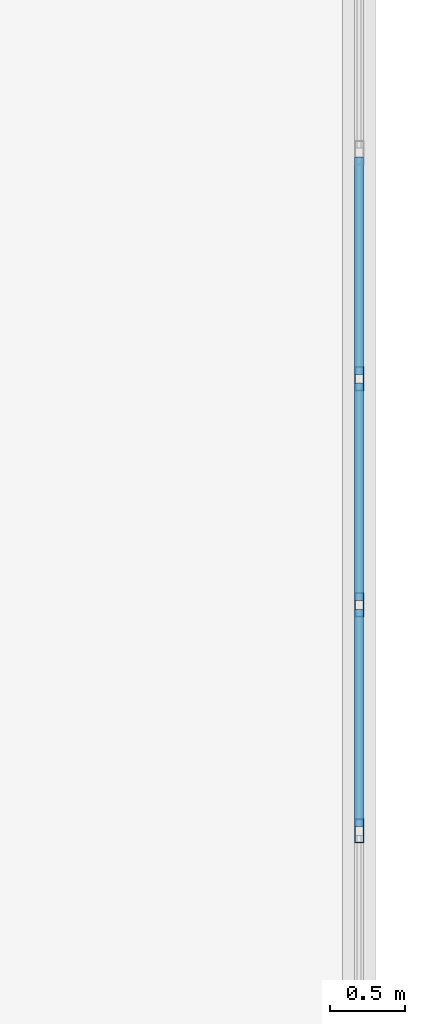
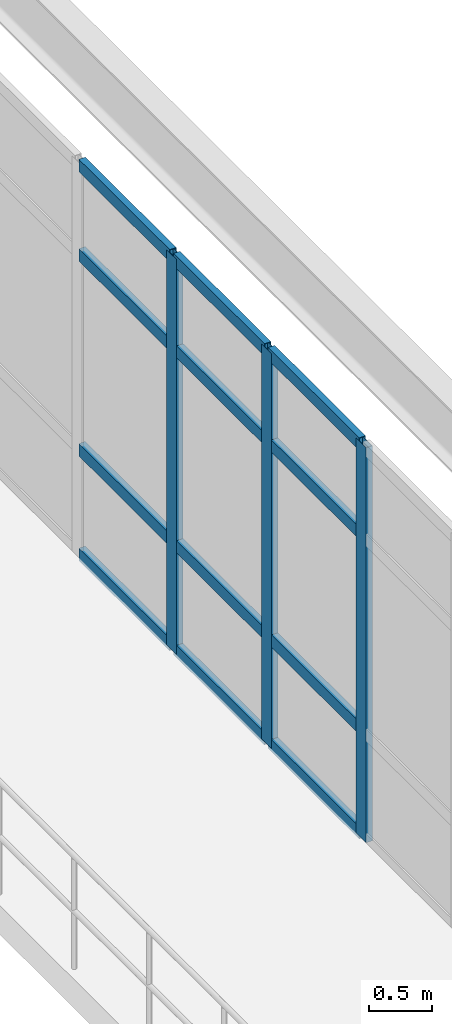
# One storey, part 17 of 38: 15 members, 1 element without a shape of its own.
"""IFC4 building model written with IfcOpenShell, lengths in metres."""

import ifcopenshell
import ifcopenshell.guid

model = None  # the IFC model being written
_history = None  # IfcOwnerHistory: only IFC2X3 demands one
_inside = {}  # id of a spatial element -> (the spatial element, [elements in it])
_under = {}  # id of a project, library or spatial element -> (it, [spatial elements below it])
_declared = {}  # id of a project -> (the project, [libraries it declares])
_typed = {}  # id of a type object -> (the type object, [elements of that type])
_made_of = {}  # id of a material, layer set ... -> (it, [elements and type objects made of it])


def new_model(schema):
    """Start an empty IFC model of exactly this schema.

    Asked for "IFC4X3", IfcOpenShell would pick the latest addendum, in which some entities
    have other attributes; the version numbers below select the first issue.
    IFC2X3 requires an IfcOwnerHistory on every rooted entity: one is made here for all.
    """
    global model, _history
    if schema == "IFC4X3":
        model = ifcopenshell.file(schema_version=(4, 3, 0, 0))
    else:
        model = ifcopenshell.file(schema=schema)
    _inside.clear()
    _under.clear()
    _declared.clear()
    _typed.clear()
    _made_of.clear()
    _history = None
    if model.schema == "IFC2X3":
        org = make("IfcOrganization", Name="unknown")
        user = make(
            "IfcPersonAndOrganization",
            ThePerson=make("IfcPerson", FamilyName="unknown"),
            TheOrganization=org,
        )
        app = make(
            "IfcApplication",
            ApplicationDeveloper=org,
            Version="unknown",
            ApplicationFullName="unknown",
            ApplicationIdentifier="unknown",
        )
        _history = make(
            "IfcOwnerHistory",
            OwningUser=user,
            OwningApplication=app,
            ChangeAction="ADDED",
            CreationDate=0,
        )
    return model


def make(cls, **values):
    """One entity of the class cls with the attributes given. An attribute that is None is left unset."""
    return model.create_entity(
        cls, **{name: value for name, value in values.items() if value is not None}
    )


def rooted(cls, **values):
    """An entity with a GlobalId (a new one), such as an element, a storey or a relation."""
    return make(cls, GlobalId=ifcopenshell.guid.new(), OwnerHistory=_history, **values)


def si_unit(unit_type, name, prefix=None):
    """IfcSIUnit, for example si_unit("LENGTHUNIT", "METRE", prefix="MILLI")."""
    return make("IfcSIUnit", UnitType=unit_type, Prefix=prefix, Name=name)


def assignment(units):
    """IfcUnitAssignment: the units of a project."""
    return None if units is None else make("IfcUnitAssignment", Units=units)


def point(xyz):
    """IfcCartesianPoint."""
    return None if xyz is None else make("IfcCartesianPoint", Coordinates=xyz)


def direction(xyz):
    """IfcDirection."""
    return None if xyz is None else make("IfcDirection", DirectionRatios=xyz)


def frame(location, z_axis=None, x_axis=None):
    """IfcAxis2Placement3D, a coordinate frame: its origin and axes. An axis left out is left unset."""
    return make(
        "IfcAxis2Placement3D",
        Location=point(location),
        Axis=direction(z_axis),
        RefDirection=direction(x_axis),
    )


def frame_2d(location, x_axis=None):
    """IfcAxis2Placement2D, a coordinate frame in the plane: its origin and x axis."""
    return make(
        "IfcAxis2Placement2D", Location=point(location), RefDirection=direction(x_axis)
    )


def origin():
    """The frame at (0, 0, 0) with its axes left unset."""
    return frame((0.0, 0.0, 0.0))


def origin_2d():
    """The frame at (0, 0) in the plane with its x axis left unset."""
    return frame_2d((0.0, 0.0))


def place(relative_to, where):
    """IfcLocalPlacement: puts the frame where relative to a parent placement (None: the world)."""
    return make(
        "IfcLocalPlacement", PlacementRelTo=relative_to, RelativePlacement=where
    )


def context(
    kind, dimensions, precision=None, world=None, true_north=None, identifier=None
):
    """IfcGeometricRepresentationContext, for example the 3D "Model" context."""
    return make(
        "IfcGeometricRepresentationContext",
        ContextIdentifier=identifier,
        ContextType=kind,
        CoordinateSpaceDimension=dimensions,
        Precision=precision,
        WorldCoordinateSystem=world,
        TrueNorth=true_north,
    )


def subcontext(parent, identifier, kind, view, scale=None):
    """IfcGeometricRepresentationSubContext, for example "Body" below "Model"."""
    return make(
        "IfcGeometricRepresentationSubContext",
        ContextIdentifier=identifier,
        ContextType=kind,
        ParentContext=parent,
        TargetScale=scale,
        TargetView=view,
    )


def project(units=None, contexts=None):
    """IfcProject with its units and contexts."""
    return rooted(
        "IfcProject",
        Name="project",
        RepresentationContexts=contexts,
        UnitsInContext=assignment(units),
    )


def spatial(cls, under=None, at=None, **own):
    """A site, building, storey or space (cls), placed at a placement, below another one or the project."""
    s = rooted(cls, ObjectPlacement=at, **own)
    if under is not None:
        _under.setdefault(under.id(), (under, []))[1].append(s)
    return s


def profile(cls, at=None, kind="AREA", **sizes):
    """A parametric profile (cls). Its sizes go by their IFC names, for example OverallWidth=200.0."""
    return make(cls, ProfileType=kind, Position=at, **sizes)


def hollow_rectangle(**sizes):
    """IfcRectangleHollowProfileDef."""
    return profile("IfcRectangleHollowProfileDef", **sizes)


def extrude(swept, where, along, depth):
    """IfcExtrudedAreaSolid: the profile swept, set in the frame where, extruded along a direction by depth."""
    return make(
        "IfcExtrudedAreaSolid",
        SweptArea=swept,
        Position=where,
        ExtrudedDirection=direction(along),
        Depth=depth,
    )


def shape(context_of_items, identifier, shape_type, items):
    """IfcShapeRepresentation: the items that make up one representation, for example the "Body"."""
    return make(
        "IfcShapeRepresentation",
        ContextOfItems=context_of_items,
        RepresentationIdentifier=identifier,
        RepresentationType=shape_type,
        Items=items,
    )


def material(Name=None, Category=None):
    """IfcMaterial."""
    return make("IfcMaterial", Name=Name, Category=Category)


def layer(
    of_material, thickness, ventilated=None, Name=None, Category=None, Priority=None
):
    """IfcMaterialLayer: one layer of a wall or slab, of a material (None: an air gap)."""
    return make(
        "IfcMaterialLayer",
        Material=of_material,
        LayerThickness=thickness,
        IsVentilated=ventilated,
        Name=Name,
        Category=Category,
        Priority=Priority,
    )


def layer_set(layers, Name=None):
    """IfcMaterialLayerSet."""
    return make("IfcMaterialLayerSet", MaterialLayers=layers, LayerSetName=Name)


def material_profile(
    of_material, cross_section, Name=None, Category=None, Priority=None
):
    """IfcMaterialProfile: a cross section and its material."""
    return make(
        "IfcMaterialProfile",
        Name=Name,
        Material=of_material,
        Profile=cross_section,
        Priority=Priority,
        Category=Category,
    )


def profile_set(profiles, Name=None, composite=None):
    """IfcMaterialProfileSet."""
    return make(
        "IfcMaterialProfileSet",
        Name=Name,
        MaterialProfiles=profiles,
        CompositeProfile=composite,
    )


def made_of(thing, what):
    """Note that an element or type object is made of a material, layer set ...; save() writes the relation."""
    if what is not None:
        _made_of.setdefault(what.id(), (what, []))[1].append(thing)
    return thing


def type_object(cls, material=None, **own):
    """A type object (cls), such as IfcWallType, which elements share."""
    return made_of(rooted(cls, **own), material)


def element(
    cls,
    number,
    at=None,
    inside=None,
    cuts=None,
    type_object=None,
    material=None,
    context=None,
    identifier="Body",
    shape_type=None,
    held_by="IfcProductDefinitionShape",
    body=None,
    shapes=None,
    **own,
):
    """One element of the class cls, such as IfcWall. Its Tag is "e" and its number.

    at: its placement. inside: the storey or other place that contains it. cuts: it is an
    opening in that element (IfcRelVoidsElement). A single representation is given by context,
    identifier, shape_type and body (its items); several are given by shapes. held_by: the class
    of the entity that holds the representations. save() writes the other relations.
    """
    e = rooted(cls, Tag="e%d" % number, ObjectPlacement=at, **own)
    if body is not None:
        shapes = [shape(context, identifier, shape_type, body)]
    if shapes is not None:
        e.Representation = make(held_by, Representations=shapes)
    if inside is not None:
        _inside.setdefault(inside.id(), (inside, []))[1].append(e)
    if cuts is not None:
        rooted(
            "IfcRelVoidsElement", RelatingBuildingElement=cuts, RelatedOpeningElement=e
        )
    if type_object is not None:
        _typed.setdefault(type_object.id(), (type_object, []))[1].append(e)
    return made_of(e, material)


def aggregate(whole, parts):
    """IfcRelAggregates: a whole, such as a stair, and the parts it consists of."""
    return rooted("IfcRelAggregates", RelatingObject=whole, RelatedObjects=parts)


def save(model, path):
    """Write the relations noted so far, then the file.

    IfcRelAggregates (storeys below a building ...), IfcRelContainedInSpatialStructure (elements
    in a storey), IfcRelDefinesByType, IfcRelAssociatesMaterial and IfcRelDeclares: one each for
    every whole, place, type object, material and project.
    """
    for whole, parts in _under.values():
        aggregate(whole, parts)
    for where, things in _inside.values():
        rooted(
            "IfcRelContainedInSpatialStructure",
            RelatedElements=things,
            RelatingStructure=where,
        )
    for kind, things in _typed.values():
        rooted("IfcRelDefinesByType", RelatedObjects=things, RelatingType=kind)
    for what, things in _made_of.values():
        rooted("IfcRelAssociatesMaterial", RelatedObjects=things, RelatingMaterial=what)
    for by, libraries in _declared.values():
        rooted("IfcRelDeclares", RelatingContext=by, RelatedDefinitions=libraries)
    model.write(path)


model = new_model("IFC4")

# Units and contexts
model_context = context("Model", 3, precision=1e-05, world=origin(), true_north=direction((0.0, 1.0)))
body_context = subcontext(model_context, "Body", "Model", "MODEL_VIEW")
ifc_project = project(units=[si_unit("LENGTHUNIT", "METRE"), si_unit("AREAUNIT", "SQUARE_METRE"), si_unit("VOLUMEUNIT", "CUBIC_METRE"), si_unit("PLANEANGLEUNIT", "RADIAN"), si_unit("MASSUNIT", "GRAM", prefix="KILO")], contexts=[model_context])

# Site, building, storey
site_placement = place(None, origin())
site = spatial("IfcSite", under=ifc_project, at=site_placement, CompositionType="ELEMENT")
building_placement = place(site_placement, origin())
building = spatial("IfcBuilding", under=site, at=building_placement, Name="Muzn Square Opera House", CompositionType="ELEMENT")
storey_placement = place(building_placement, frame((0.0, 0.0, 18.0)))
storey = spatial("IfcBuildingStorey", under=building, at=storey_placement, Name="L04", CompositionType="ELEMENT", Elevation=18.0)

# Curtain wall, members
ifc_material_1 = material(Name="Low-E laminated acoustic double glazing", Category="glass")
ifc_layer = layer(ifc_material_1, 0.159912109375, Name="Low-E laminated acoustic double glazing", Category="glass")
ifc_layer_set = layer_set([ifc_layer], Name="Low-E laminated acoustic double glazing")
curtain_wall_type = type_object("IfcCurtainWallType", Name="Glazed Curtain Wall RehearsalEast 12100x3850", PredefinedType="USERDEFINED", material=ifc_layer_set)
curtain_wall_placement = place(storey_placement, origin())
curtain_wall = element("IfcCurtainWall", 1, at=curtain_wall_placement, inside=storey, type_object=curtain_wall_type, Name="Glazed Curtain Wall CW-L04-133", ObjectType="GLAZED CURTAIN WALL", PredefinedType="USERDEFINED")
ifc_material_2 = material(Name="Anodised bronze aluminium 6063-T6", Category="metal")
ifc_material_profile_1 = material_profile(ifc_material_2, hollow_rectangle(XDim=0.06005859375, YDim=0.159912109375, WallThickness=0.00390625, at=origin_2d()), Name="ALU 160x60x4", Category="metal")
ifc_profile_set_1 = profile_set([ifc_material_profile_1], Name="Anodised bronze aluminium 6063-T6")
member_type_1 = type_object("IfcMemberType", Name="Curtain Wall Mullion 160x60", PredefinedType="MULLION", material=ifc_profile_set_1)
member_1_placement = place(storey_placement, frame((170.0, 101.925048828125, 0.0), z_axis=(0.0, 0.0, 1.0), x_axis=(-1.0, 0.0, 0.0)))
member_1 = element("IfcMember", 2, at=member_1_placement, type_object=member_type_1, Name="CW-RHE-121x38 mullion 3", PredefinedType="MULLION", context=body_context, shape_type="SweptSolid", body=[
    extrude(hollow_rectangle(XDim=0.06005859375, YDim=0.159912109375, WallThickness=0.00390625, at=origin_2d()), origin(), (0.0, 0.0, 1.0), 3.85009765625),
])
member_2_placement = place(storey_placement, frame((170.0, 103.4375, 0.0), z_axis=(0.0, 0.0, 1.0), x_axis=(-1.0, 0.0, 0.0)))
member_2 = element("IfcMember", 3, at=member_2_placement, type_object=member_type_1, Name="CW-RHE-121x38 mullion 4", PredefinedType="MULLION", context=body_context, shape_type="SweptSolid", body=[
    extrude(hollow_rectangle(XDim=0.06005859375, YDim=0.159912109375, WallThickness=0.00390625, at=origin_2d()), origin(), (0.0, 0.0, 1.0), 3.85009765625),
])
member_3_placement = place(storey_placement, frame((170.0, 104.949951171875, 0.0), z_axis=(0.0, 0.0, 1.0), x_axis=(-1.0, 0.0, 0.0)))
member_3 = element("IfcMember", 4, at=member_3_placement, type_object=member_type_1, Name="CW-RHE-121x38 mullion 5", PredefinedType="MULLION", context=body_context, shape_type="SweptSolid", body=[
    extrude(hollow_rectangle(XDim=0.06005859375, YDim=0.159912109375, WallThickness=0.00390625, at=origin_2d()), origin(), (0.0, 0.0, 1.0), 3.85009765625),
])
ifc_material_profile_2 = material_profile(ifc_material_2, hollow_rectangle(XDim=0.06005859375, YDim=0.1201171875, WallThickness=0.00390625, at=origin_2d()), Name="ALU 120x60x4", Category="metal")
ifc_profile_set_2 = profile_set([ifc_material_profile_2], Name="Anodised bronze aluminium 6063-T6")
member_type_2 = type_object("IfcMemberType", Name="Curtain Wall Transom 120x60", PredefinedType="USERDEFINED", material=ifc_profile_set_2)
member_4_placement = place(storey_placement, frame((170.0, 101.955078125, 0.030029296875), z_axis=(0.0, 1.0, 0.0), x_axis=(-1.0, 0.0, 0.0)))
member_4 = element("IfcMember", 5, at=member_4_placement, type_object=member_type_2, Name="CW-RHE-121x38 transom 3.1", ObjectType="TRANSOM", PredefinedType="USERDEFINED", context=body_context, shape_type="SweptSolid", body=[
    extrude(hollow_rectangle(XDim=0.06005859375, YDim=0.1201171875, WallThickness=0.00390625, at=origin_2d()), origin(), (0.0, 0.0, 1.0), 1.452392578125),
])
member_5_placement = place(storey_placement, frame((170.0, 101.955078125, 1.050048828125), z_axis=(0.0, 1.0, 0.0), x_axis=(-1.0, 0.0, 0.0)))
member_5 = element("IfcMember", 6, at=member_5_placement, type_object=member_type_2, Name="CW-RHE-121x38 transom 3.2", ObjectType="TRANSOM", PredefinedType="USERDEFINED", context=body_context, shape_type="SweptSolid", body=[
    extrude(hollow_rectangle(XDim=0.06005859375, YDim=0.1201171875, WallThickness=0.00390625, at=origin_2d()), origin(), (0.0, 0.0, 1.0), 1.452392578125),
])
member_6_placement = place(storey_placement, frame((170.0, 101.955078125, 2.949951171875), z_axis=(0.0, 1.0, 0.0), x_axis=(-1.0, 0.0, 0.0)))
member_6 = element("IfcMember", 7, at=member_6_placement, type_object=member_type_2, Name="CW-RHE-121x38 transom 3.3", ObjectType="TRANSOM", PredefinedType="USERDEFINED", context=body_context, shape_type="SweptSolid", body=[
    extrude(hollow_rectangle(XDim=0.06005859375, YDim=0.1201171875, WallThickness=0.00390625, at=origin_2d()), origin(), (0.0, 0.0, 1.0), 1.452392578125),
])
member_7_placement = place(storey_placement, frame((170.0, 101.955078125, 3.820068359375), z_axis=(0.0, 1.0, 0.0), x_axis=(-1.0, 0.0, 0.0)))
member_7 = element("IfcMember", 8, at=member_7_placement, type_object=member_type_2, Name="CW-RHE-121x38 transom 3.4", ObjectType="TRANSOM", PredefinedType="USERDEFINED", context=body_context, shape_type="SweptSolid", body=[
    extrude(hollow_rectangle(XDim=0.06005859375, YDim=0.1201171875, WallThickness=0.00390625, at=origin_2d()), origin(), (0.0, 0.0, 1.0), 1.452392578125),
])
member_8_placement = place(storey_placement, frame((170.0, 103.467529296875, 0.030029296875), z_axis=(0.0, 1.0, 0.0), x_axis=(-1.0, 0.0, 0.0)))
member_8 = element("IfcMember", 9, at=member_8_placement, type_object=member_type_2, Name="CW-RHE-121x38 transom 4.1", ObjectType="TRANSOM", PredefinedType="USERDEFINED", context=body_context, shape_type="SweptSolid", body=[
    extrude(hollow_rectangle(XDim=0.06005859375, YDim=0.1201171875, WallThickness=0.00390625, at=origin_2d()), origin(), (0.0, 0.0, 1.0), 1.452392578125),
])
member_9_placement = place(storey_placement, frame((170.0, 103.467529296875, 1.050048828125), z_axis=(0.0, 1.0, 0.0), x_axis=(-1.0, 0.0, 0.0)))
member_9 = element("IfcMember", 10, at=member_9_placement, type_object=member_type_2, Name="CW-RHE-121x38 transom 4.2", ObjectType="TRANSOM", PredefinedType="USERDEFINED", context=body_context, shape_type="SweptSolid", body=[
    extrude(hollow_rectangle(XDim=0.06005859375, YDim=0.1201171875, WallThickness=0.00390625, at=origin_2d()), origin(), (0.0, 0.0, 1.0), 1.452392578125),
])
member_10_placement = place(storey_placement, frame((170.0, 103.467529296875, 2.949951171875), z_axis=(0.0, 1.0, 0.0), x_axis=(-1.0, 0.0, 0.0)))
member_10 = element("IfcMember", 11, at=member_10_placement, type_object=member_type_2, Name="CW-RHE-121x38 transom 4.3", ObjectType="TRANSOM", PredefinedType="USERDEFINED", context=body_context, shape_type="SweptSolid", body=[
    extrude(hollow_rectangle(XDim=0.06005859375, YDim=0.1201171875, WallThickness=0.00390625, at=origin_2d()), origin(), (0.0, 0.0, 1.0), 1.452392578125),
])
member_11_placement = place(storey_placement, frame((170.0, 103.467529296875, 3.820068359375), z_axis=(0.0, 1.0, 0.0), x_axis=(-1.0, 0.0, 0.0)))
member_11 = element("IfcMember", 12, at=member_11_placement, type_object=member_type_2, Name="CW-RHE-121x38 transom 4.4", ObjectType="TRANSOM", PredefinedType="USERDEFINED", context=body_context, shape_type="SweptSolid", body=[
    extrude(hollow_rectangle(XDim=0.06005859375, YDim=0.1201171875, WallThickness=0.00390625, at=origin_2d()), origin(), (0.0, 0.0, 1.0), 1.452392578125),
])
member_12_placement = place(storey_placement, frame((170.0, 104.97998046875, 0.030029296875), z_axis=(0.0, 1.0, 0.0), x_axis=(-1.0, 0.0, 0.0)))
member_12 = element("IfcMember", 13, at=member_12_placement, type_object=member_type_2, Name="CW-RHE-121x38 transom 5.1", ObjectType="TRANSOM", PredefinedType="USERDEFINED", context=body_context, shape_type="SweptSolid", body=[
    extrude(hollow_rectangle(XDim=0.06005859375, YDim=0.1201171875, WallThickness=0.00390625, at=origin_2d()), origin(), (0.0, 0.0, 1.0), 1.45263671875),
])
member_13_placement = place(storey_placement, frame((170.0, 104.97998046875, 1.050048828125), z_axis=(0.0, 1.0, 0.0), x_axis=(-1.0, 0.0, 0.0)))
member_13 = element("IfcMember", 14, at=member_13_placement, type_object=member_type_2, Name="CW-RHE-121x38 transom 5.2", ObjectType="TRANSOM", PredefinedType="USERDEFINED", context=body_context, shape_type="SweptSolid", body=[
    extrude(hollow_rectangle(XDim=0.06005859375, YDim=0.1201171875, WallThickness=0.00390625, at=origin_2d()), origin(), (0.0, 0.0, 1.0), 1.45263671875),
])
member_14_placement = place(storey_placement, frame((170.0, 104.97998046875, 2.949951171875), z_axis=(0.0, 1.0, 0.0), x_axis=(-1.0, 0.0, 0.0)))
member_14 = element("IfcMember", 15, at=member_14_placement, type_object=member_type_2, Name="CW-RHE-121x38 transom 5.3", ObjectType="TRANSOM", PredefinedType="USERDEFINED", context=body_context, shape_type="SweptSolid", body=[
    extrude(hollow_rectangle(XDim=0.06005859375, YDim=0.1201171875, WallThickness=0.00390625, at=origin_2d()), origin(), (0.0, 0.0, 1.0), 1.45263671875),
])
member_15_placement = place(storey_placement, frame((170.0, 104.97998046875, 3.820068359375), z_axis=(0.0, 1.0, 0.0), x_axis=(-1.0, 0.0, 0.0)))
member_15 = element("IfcMember", 16, at=member_15_placement, type_object=member_type_2, Name="CW-RHE-121x38 transom 5.4", ObjectType="TRANSOM", PredefinedType="USERDEFINED", context=body_context, shape_type="SweptSolid", body=[
    extrude(hollow_rectangle(XDim=0.06005859375, YDim=0.1201171875, WallThickness=0.00390625, at=origin_2d()), origin(), (0.0, 0.0, 1.0), 1.45263671875),
])
aggregate(curtain_wall, [member_1, member_2, member_3, member_4, member_5, member_6, member_7, member_8, member_9, member_10, member_11, member_12, member_13, member_14, member_15])

save(model, "model.ifc")
